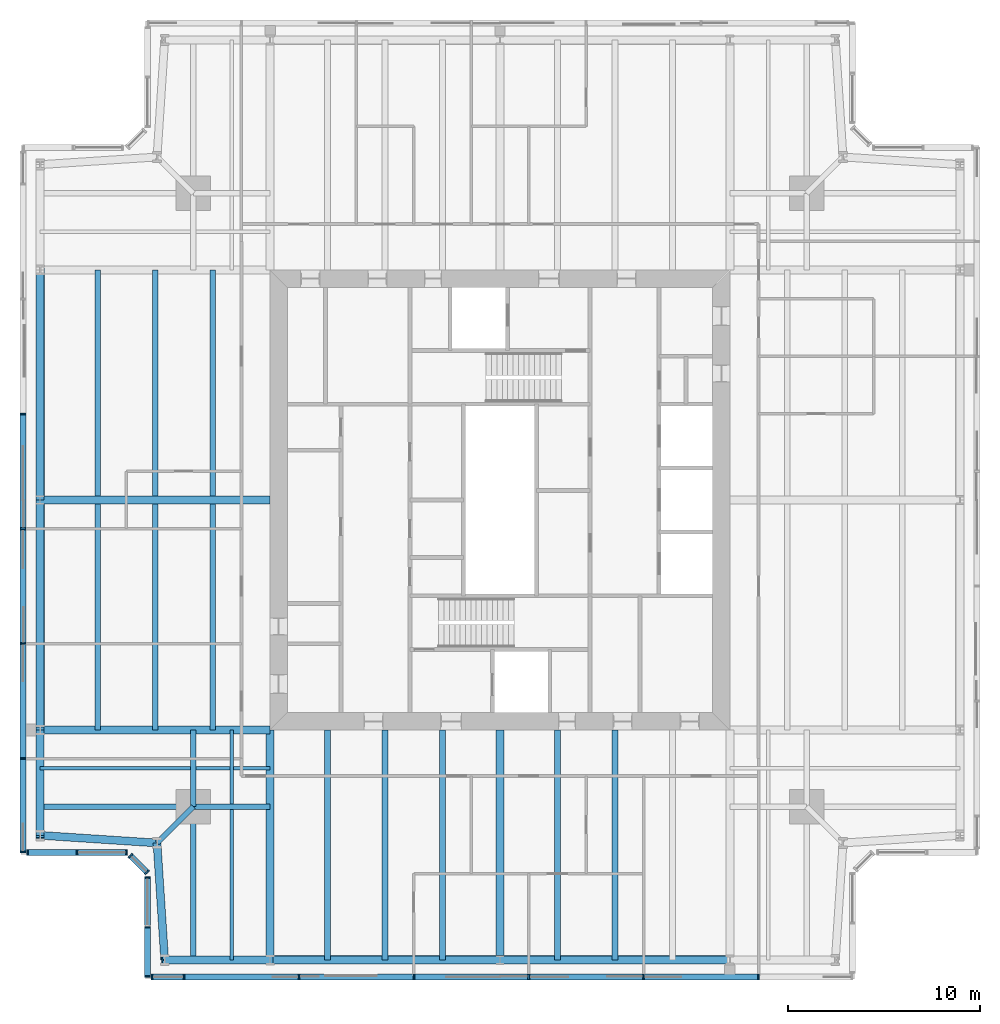
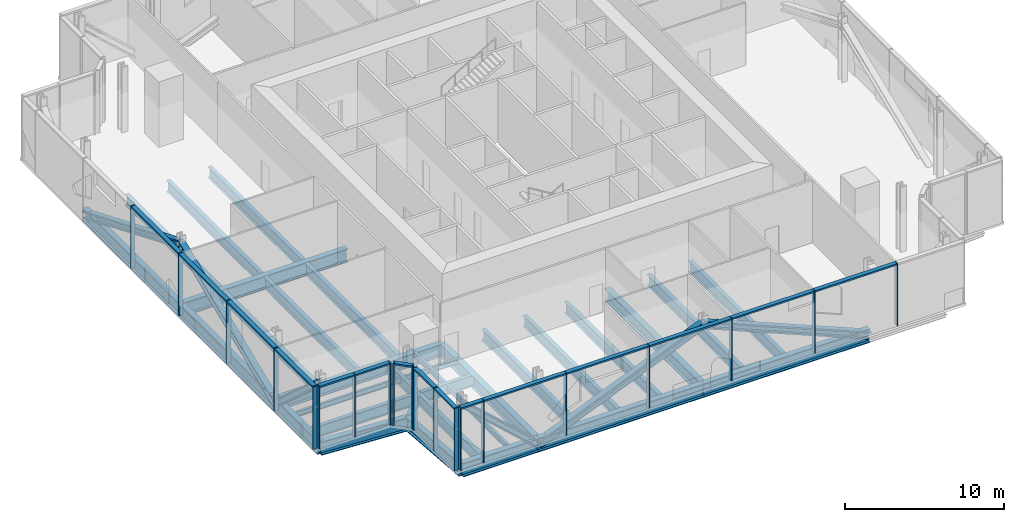
# One storey, part 2 of 15: 41 members, 33 beams, 5 elements without a shape of their own.
"""IFC4 building model written with IfcOpenShell, lengths in metres."""

from ifc_helpers import new_model, si_unit, direction, frame, origin, origin_2d, place, context, subcontext, project, spatial, rectangle, i_section, extrude, material, material_profile, profile_set, type_object, element, aggregate, save


model = new_model("IFC4")

# Units and contexts
model_context = context("Model", 3, precision=1e-05, world=origin(), true_north=direction((0.0, 1.0)))
body_context = subcontext(model_context, "Body", "Model", "MODEL_VIEW")
ifc_project = project(units=[si_unit("LENGTHUNIT", "METRE"), si_unit("AREAUNIT", "SQUARE_METRE"), si_unit("VOLUMEUNIT", "CUBIC_METRE"), si_unit("PLANEANGLEUNIT", "RADIAN"), si_unit("MASSUNIT", "GRAM", prefix="KILO")], contexts=[model_context])

# Site, building, storey
site_placement = place(None, origin())
site = spatial("IfcSite", under=ifc_project, at=site_placement, CompositionType="ELEMENT")
building_placement = place(site_placement, origin())
building = spatial("IfcBuilding", under=site, at=building_placement, Name="Fenwick Lantern Interchange", CompositionType="ELEMENT")
storey_placement = place(building_placement, frame((0.0, 0.0, 296.800048828125)))
storey = spatial("IfcBuildingStorey", under=building, at=storey_placement, Name="L72", CompositionType="ELEMENT", Elevation=296.800048828125)

# Beams
ifc_material_1 = material(Name="Steel ASTM A992 Grade 50", Category="steel")
ifc_material_profile_1 = material_profile(ifc_material_1, i_section(OverallWidth=0.408935546875, OverallDepth=1.04150390625, WebThickness=0.031005859375, FlangeThickness=0.055908203125, at=origin_2d()), Name="W40X397")
ifc_profile_set_1 = profile_set([ifc_material_profile_1], Name="Steel ASTM A992 Grade 50")
beam_type_1 = type_object("IfcBeamType", Name="EDGE BEAM W40X397", PredefinedType="SPANDREL", material=ifc_profile_set_1)
beam_1_placement = place(storey_placement, frame((7.5, 1.0, -0.720703125), z_axis=(1.0, 0.0, 0.0), x_axis=(0.0, 1.0, 0.0)))
element("IfcBeam", 1, at=beam_1_placement, inside=storey, type_object=beam_type_1, Name="L72/FR/S/EB1", PredefinedType="SPANDREL", context=body_context, shape_type="SweptSolid", body=[
    extrude(i_section(OverallWidth=0.408935546875, OverallDepth=1.04150390625, WebThickness=0.031005859375, FlangeThickness=0.055908203125, at=origin_2d()), origin(), (0.0, 0.0, 1.0), 5.5),
])
for number, where, z_axis, x_axis, name in (
    (2, (13.0, 1.0, -0.720703125), (1.0, 0.0, 0.0), (0.0, 1.0, 0.0), "L72/FR/S/EB2"),
    (3, (25.0, 1.0, -0.720703125), (1.0, 0.0, 0.0), (0.0, 1.0, 0.0), "L72/FR/S/EB3"),
    (4, (1.0, 37.0, -0.720703125), (0.0, -1.0, 0.0), (1.0, 0.0, 0.0), "L72/FR/W/EB2"),
    (5, (1.0, 25.0, -0.720703125), (0.0, -1.0, 0.0), (1.0, 0.0, 0.0), "L72/FR/W/EB3"),
):
    element("IfcBeam", number, at=place(storey_placement, frame(where, z_axis=z_axis, x_axis=x_axis)), inside=storey, type_object=beam_type_1, Name=name, PredefinedType="SPANDREL", context=body_context, shape_type="SweptSolid", body=[
        extrude(i_section(OverallWidth=0.408935546875, OverallDepth=1.04150390625, WebThickness=0.031005859375, FlangeThickness=0.055908203125, at=origin_2d()), origin(), (0.0, 0.0, 1.0), 12.0),
    ])
beam_2_placement = place(storey_placement, frame((1.0, 13.0, -0.720703125), z_axis=(0.0, -1.0, 0.0), x_axis=(1.0, 0.0, 0.0)))
element("IfcBeam", 6, at=beam_2_placement, inside=storey, type_object=beam_type_1, Name="L72/FR/W/EB4", PredefinedType="SPANDREL", context=body_context, shape_type="SweptSolid", body=[
    extrude(i_section(OverallWidth=0.408935546875, OverallDepth=1.04150390625, WebThickness=0.031005859375, FlangeThickness=0.055908203125, at=origin_2d()), origin(), (0.0, 0.0, 1.0), 5.5),
])
for number, where, z_axis, x_axis, name in (
    (7, (1.0, 7.5, -0.720703125), (0.997858060337, -0.065416293237, 0.0), (0.065416293237, 0.997858060337, 0.0), "L72/FR/W/EBR1"),
    (8, (7.10009765625, 7.10009765625, -0.720703125), (0.065416293237, -0.997858060337, 0.0), (0.997858060337, 0.065416293237, 0.0), "L72/FR/W/EBR2"),
):
    element("IfcBeam", number, at=place(storey_placement, frame(where, z_axis=z_axis, x_axis=x_axis)), inside=storey, type_object=beam_type_1, Name=name, PredefinedType="SPANDREL", context=body_context, shape_type="SweptSolid", body=[
        extrude(i_section(OverallWidth=0.408935546875, OverallDepth=1.04150390625, WebThickness=0.031005859375, FlangeThickness=0.055908203125, at=origin_2d()), origin(), (0.0, 0.0, 1.0), 6.11328125),
    ])

# Members
ifc_material_profile_2 = material_profile(ifc_material_1, i_section(OverallWidth=0.424072265625, OverallDepth=0.47509765625, WebThickness=0.0478515625, FlangeThickness=0.0771484375, at=origin_2d()), Name="W14X426")
ifc_profile_set_2 = profile_set([ifc_material_profile_2], Name="Steel ASTM A992 Grade 50")
member_type_1 = type_object("IfcMemberType", Name="FACADE BRACE W14X426", PredefinedType="BRACE", material=ifc_profile_set_2)
for number, where, z_axis, x_axis, name in (
    (9, (13.0, 1.0, -0.720703125), (-0.739940073396, 0.0, 0.672672793996), (0.0, -1.0, 0.0), "L72/FB/S/AE"),
    (10, (1.0, 13.0, -0.720703125), (0.0, -0.739940073396, 0.672672793996), (1.0, 0.0, 0.0), "L72/FB/W/BE"),
):
    element("IfcMember", number, at=place(storey_placement, frame(where, z_axis=z_axis, x_axis=x_axis)), inside=storey, type_object=member_type_1, Name=name, PredefinedType="BRACE", context=body_context, shape_type="SweptSolid", body=[
        extrude(i_section(OverallWidth=0.424072265625, OverallDepth=0.47509765625, WebThickness=0.0478515625, FlangeThickness=0.0771484375, at=origin_2d()), origin(), (0.0, 0.0, 1.0), 7.43310546875),
    ])
ifc_material_profile_3 = material_profile(ifc_material_1, i_section(OverallWidth=0.44189453125, OverallDepth=0.53076171875, WebThickness=0.06591796875, FlangeThickness=0.105712890625, at=origin_2d()), Name="W14X605")
ifc_profile_set_3 = profile_set([ifc_material_profile_3], Name="Steel ASTM A992 Grade 50")
member_type_2 = type_object("IfcMemberType", Name="FACADE BRACE W14X605", PredefinedType="BRACE", material=ifc_profile_set_3)
for number, where, z_axis, x_axis, name in (
    (11, (13.0, 1.0, -0.720703125), (0.923076923077, 0.0, 0.384615384615), (0.0, 1.0, 0.0), "L72/FB/S/A"),
    (12, (37.0, 1.0, -0.720703125), (-0.923076923077, 0.0, 0.384615384615), (0.0, -1.0, 0.0), "L72/FB/S/B"),
    (13, (1.0, 37.0, -0.720703125), (0.0, -0.923076923077, 0.384615384615), (1.0, 0.0, 0.0), "L72/FB/W/A"),
    (14, (1.0, 13.0, -0.720703125), (0.0, 0.923076923077, 0.384615384615), (-1.0, 0.0, 0.0), "L72/FB/W/B"),
):
    element("IfcMember", number, at=place(storey_placement, frame(where, z_axis=z_axis, x_axis=x_axis)), inside=storey, type_object=member_type_2, Name=name, PredefinedType="BRACE", context=body_context, shape_type="SweptSolid", body=[
        extrude(i_section(OverallWidth=0.44189453125, OverallDepth=0.53076171875, WebThickness=0.06591796875, FlangeThickness=0.105712890625, at=origin_2d()), origin(), (0.0, 0.0, 1.0), 13.0),
    ])

# Beams
ifc_material_profile_4 = material_profile(ifc_material_1, i_section(OverallWidth=0.2919921875, OverallDepth=0.845703125, WebThickness=0.015380859375, FlangeThickness=0.0244140625, at=origin_2d()), Name="W33X141")
ifc_profile_set_4 = profile_set([ifc_material_profile_4], Name="Steel ASTM A992 Grade 50")
beam_type_2 = type_object("IfcBeamType", Name="FLOOR BEAM W33X141", PredefinedType="BEAM", material=ifc_profile_set_4)
for number, where, z_axis, x_axis, name in (
    (15, (16.0, 1.0, -0.623046875), (0.0, 1.0, 0.0), (-1.0, 0.0, 0.0), "L72/FR/S/R02"),
    (16, (19.0, 1.0, -0.623046875), (0.0, 1.0, 0.0), (-1.0, 0.0, 0.0), "L72/FR/S/R03"),
    (17, (22.0, 1.0, -0.623046875), (0.0, 1.0, 0.0), (-1.0, 0.0, 0.0), "L72/FR/S/R04"),
    (18, (28.0, 1.0, -0.623046875), (0.0, 1.0, 0.0), (-1.0, 0.0, 0.0), "L72/FR/S/R06"),
    (19, (31.0, 1.0, -0.623046875), (0.0, 1.0, 0.0), (-1.0, 0.0, 0.0), "L72/FR/S/R07"),
):
    element("IfcBeam", number, at=place(storey_placement, frame(where, z_axis=z_axis, x_axis=x_axis)), inside=storey, type_object=beam_type_2, Name=name, PredefinedType="BEAM", context=body_context, shape_type="SweptSolid", body=[
        extrude(i_section(OverallWidth=0.2919921875, OverallDepth=0.845703125, WebThickness=0.015380859375, FlangeThickness=0.0244140625, at=origin_2d()), origin(), (0.0, 0.0, 1.0), 12.0),
    ])
for number, where, z_axis, x_axis, name in (
    (20, (4.0, 37.0, -0.623046875), (0.0, -1.0, 0.0), (1.0, 0.0, 0.0), "L72/FR/W/B01"),
    (21, (7.0, 37.0, -0.623046875), (0.0, -1.0, 0.0), (1.0, 0.0, 0.0), "L72/FR/W/B02"),
    (22, (10.0, 37.0, -0.623046875), (0.0, -1.0, 0.0), (1.0, 0.0, 0.0), "L72/FR/W/B03"),
    (23, (4.0, 24.79541015625, -0.623046875), (0.0, -1.0, 0.0), (1.0, 0.0, 0.0), "L72/FR/W/B04"),
    (24, (7.0, 24.79541015625, -0.623046875), (0.0, -1.0, 0.0), (1.0, 0.0, 0.0), "L72/FR/W/B05"),
    (25, (10.0, 24.79541015625, -0.623046875), (0.0, -1.0, 0.0), (1.0, 0.0, 0.0), "L72/FR/W/B06"),
):
    element("IfcBeam", number, at=place(storey_placement, frame(where, z_axis=z_axis, x_axis=x_axis)), inside=storey, type_object=beam_type_2, Name=name, PredefinedType="BEAM", context=body_context, shape_type="SweptSolid", body=[
        extrude(i_section(OverallWidth=0.2919921875, OverallDepth=0.845703125, WebThickness=0.015380859375, FlangeThickness=0.0244140625, at=origin_2d()), origin(), (0.0, 0.0, 1.0), 11.79541015625),
    ])
ifc_material_profile_5 = material_profile(ifc_material_1, i_section(OverallWidth=0.177734375, OverallDepth=0.406494140625, WebThickness=0.0078125, FlangeThickness=0.012939453125, at=origin_2d()), Name="W16X40")
ifc_profile_set_5 = profile_set([ifc_material_profile_5], Name="Steel ASTM A992 Grade 50")
beam_type_3 = type_object("IfcBeamType", Name="INFILL BEAM W16X40", PredefinedType="JOIST", material=ifc_profile_set_5)
beam_3_placement = place(storey_placement, frame((11.0, 1.0, -0.4033203125), z_axis=(0.0, 1.0, 0.0), x_axis=(-1.0, 0.0, 0.0)))
element("IfcBeam", 26, at=beam_3_placement, inside=storey, type_object=beam_type_3, Name="L72/FR/S/J1", PredefinedType="JOIST", context=body_context, shape_type="SweptSolid", body=[
    extrude(i_section(OverallWidth=0.177734375, OverallDepth=0.406494140625, WebThickness=0.0078125, FlangeThickness=0.012939453125, at=origin_2d()), origin(), (0.0, 0.0, 1.0), 7.85400390625),
])
beam_4_placement = place(storey_placement, frame((11.0, 9.14599609375, -0.4033203125), z_axis=(0.0, 1.0, 0.0), x_axis=(-1.0, 0.0, 0.0)))
element("IfcBeam", 27, at=beam_4_placement, inside=storey, type_object=beam_type_3, Name="L72/FR/S/J2", PredefinedType="JOIST", context=body_context, shape_type="SweptSolid", body=[
    extrude(i_section(OverallWidth=0.177734375, OverallDepth=0.406494140625, WebThickness=0.0078125, FlangeThickness=0.012939453125, at=origin_2d()), origin(), (0.0, 0.0, 1.0), 3.85400390625),
])
beam_5_placement = place(storey_placement, frame((1.0, 11.0, -0.4033203125), z_axis=(1.0, 0.0, 0.0), x_axis=(0.0, 1.0, 0.0)))
element("IfcBeam", 28, at=beam_5_placement, inside=storey, type_object=beam_type_3, Name="L72/FR/S/J3", PredefinedType="JOIST", context=body_context, shape_type="SweptSolid", body=[
    extrude(i_section(OverallWidth=0.177734375, OverallDepth=0.406494140625, WebThickness=0.0078125, FlangeThickness=0.012939453125, at=origin_2d()), origin(), (0.0, 0.0, 1.0), 7.85400390625),
])
beam_6_placement = place(storey_placement, frame((9.14599609375, 11.0, -0.4033203125), z_axis=(1.0, 0.0, 0.0), x_axis=(0.0, 1.0, 0.0)))
element("IfcBeam", 29, at=beam_6_placement, inside=storey, type_object=beam_type_3, Name="L72/FR/S/J4", PredefinedType="JOIST", context=body_context, shape_type="SweptSolid", body=[
    extrude(i_section(OverallWidth=0.177734375, OverallDepth=0.406494140625, WebThickness=0.0078125, FlangeThickness=0.012939453125, at=origin_2d()), origin(), (0.0, 0.0, 1.0), 1.76513671875),
])
beam_7_placement = place(storey_placement, frame((11.0888671875, 11.0, -0.4033203125), z_axis=(1.0, 0.0, 0.0), x_axis=(0.0, 1.0, 0.0)))
element("IfcBeam", 30, at=beam_7_placement, inside=storey, type_object=beam_type_3, Name="L72/FR/S/J5", PredefinedType="JOIST", context=body_context, shape_type="SweptSolid", body=[
    extrude(i_section(OverallWidth=0.177734375, OverallDepth=0.406494140625, WebThickness=0.0078125, FlangeThickness=0.012939453125, at=origin_2d()), origin(), (0.0, 0.0, 1.0), 1.9111328125),
])
ifc_material_profile_6 = material_profile(ifc_material_1, i_section(OverallWidth=0.2919921875, OverallDepth=0.845703125, WebThickness=0.015380859375, FlangeThickness=0.0244140625, at=origin_2d()), Name="W33X141")
ifc_profile_set_6 = profile_set([ifc_material_profile_6], Name="Steel ASTM A992 Grade 50")
beam_type_4 = type_object("IfcBeamType", Name="MEGA COLUMN BEAM W33X141", PredefinedType="BEAM", material=ifc_profile_set_6)
for number, where, z_axis, x_axis, name in (
    (31, (9.0, 9.0, -0.623046875), (0.0, -1.0, 0.0), (1.0, 0.0, 0.0), "L72/FR/S/MB1"),
    (32, (9.0, 9.0, -0.623046875), (-1.0, 0.0, 0.0), (0.0, -1.0, 0.0), "L72/FR/S/MB2"),
):
    element("IfcBeam", number, at=place(storey_placement, frame(where, z_axis=z_axis, x_axis=x_axis)), inside=storey, type_object=beam_type_4, Name=name, PredefinedType="BEAM", context=body_context, shape_type="SweptSolid", body=[
        extrude(i_section(OverallWidth=0.2919921875, OverallDepth=0.845703125, WebThickness=0.015380859375, FlangeThickness=0.0244140625, at=origin_2d()), origin(), (0.0, 0.0, 1.0), 8.0),
    ])
for number, where, z_axis, x_axis, name in (
    (33, (9.0, 9.0, -0.623046875), (1.0, 0.0, 0.0), (0.0, 1.0, 0.0), "L72/FR/S/MB3"),
    (34, (9.0, 9.0, -0.623046875), (0.0, 1.0, 0.0), (-1.0, 0.0, 0.0), "L72/FR/S/MB4"),
):
    element("IfcBeam", number, at=place(storey_placement, frame(where, z_axis=z_axis, x_axis=x_axis)), inside=storey, type_object=beam_type_4, Name=name, PredefinedType="BEAM", context=body_context, shape_type="SweptSolid", body=[
        extrude(i_section(OverallWidth=0.2919921875, OverallDepth=0.845703125, WebThickness=0.015380859375, FlangeThickness=0.0244140625, at=origin_2d()), origin(), (0.0, 0.0, 1.0), 4.0),
    ])
ifc_material_profile_7 = material_profile(ifc_material_1, i_section(OverallWidth=0.424072265625, OverallDepth=0.947509765625, WebThickness=0.02392578125, FlangeThickness=0.042724609375, at=origin_2d()), Name="W36X302")
ifc_profile_set_7 = profile_set([ifc_material_profile_7], Name="Steel ASTM A992 Grade 50")
beam_type_5 = type_object("IfcBeamType", Name="MOMENT-CONNECTED GIRDER W36X302", PredefinedType="BEAM", material=ifc_profile_set_7)
for number, where, z_axis, x_axis, name in (
    (35, (13.0, 1.0, -0.673828125), (0.0, 1.0, 0.0), (-1.0, 0.0, 0.0), "L72/FR/S/R01"),
    (36, (25.0, 1.0, -0.673828125), (0.0, 1.0, 0.0), (-1.0, 0.0, 0.0), "L72/FR/S/R05"),
    (37, (1.0, 13.0, -0.673828125), (1.0, 0.0, 0.0), (0.0, 1.0, 0.0), "L72/FR/W/R03"),
):
    element("IfcBeam", number, at=place(storey_placement, frame(where, z_axis=z_axis, x_axis=x_axis)), inside=storey, type_object=beam_type_5, Name=name, PredefinedType="BEAM", context=body_context, shape_type="SweptSolid", body=[
        extrude(i_section(OverallWidth=0.424072265625, OverallDepth=0.947509765625, WebThickness=0.02392578125, FlangeThickness=0.042724609375, at=origin_2d()), origin(), (0.0, 0.0, 1.0), 12.0),
    ])
ifc_material_profile_8 = material_profile(ifc_material_1, i_section(OverallWidth=0.408935546875, OverallDepth=1.04150390625, WebThickness=0.031005859375, FlangeThickness=0.055908203125, at=origin_2d()), Name="W40X397")
ifc_profile_set_8 = profile_set([ifc_material_profile_8], Name="Steel ASTM A992 Grade 50")
beam_type_6 = type_object("IfcBeamType", Name="MOMENT-CONNECTED GIRDER W40X397", PredefinedType="BEAM", material=ifc_profile_set_8)
beam_8_placement = place(storey_placement, frame((1.0, 25.0, -0.720703125), z_axis=(1.0, 0.0, 0.0), x_axis=(0.0, 1.0, 0.0)))
element("IfcBeam", 38, at=beam_8_placement, inside=storey, type_object=beam_type_6, Name="L72/FR/W/R02", PredefinedType="BEAM", context=body_context, shape_type="SweptSolid", body=[
    extrude(i_section(OverallWidth=0.408935546875, OverallDepth=1.04150390625, WebThickness=0.031005859375, FlangeThickness=0.055908203125, at=origin_2d()), origin(), (0.0, 0.0, 1.0), 12.0),
])
ifc_material_profile_9 = material_profile(ifc_material_1, i_section(OverallWidth=0.2666015625, OverallDepth=0.7568359375, WebThickness=0.013916015625, FlangeThickness=0.019287109375, at=origin_2d()), Name="W30X108")
ifc_profile_set_9 = profile_set([ifc_material_profile_9], Name="Steel ASTM A992 Grade 50")
beam_type_7 = type_object("IfcBeamType", Name="NOTCH BEAM W30X108", PredefinedType="BEAM", material=ifc_profile_set_9)
beam_9_placement = place(storey_placement, frame((9.0, 9.0, -0.57861328125), z_axis=(-0.707106781187, -0.707106781187, 0.0), x_axis=(0.707106781187, -0.707106781187, 0.0)))
element("IfcBeam", 39, at=beam_9_placement, inside=storey, type_object=beam_type_7, Name="L72/FR/S/TG", PredefinedType="BEAM", context=body_context, shape_type="SweptSolid", body=[
    extrude(i_section(OverallWidth=0.2666015625, OverallDepth=0.7568359375, WebThickness=0.013916015625, FlangeThickness=0.019287109375, at=origin_2d()), origin(), (0.0, 0.0, 1.0), 2.686767578125),
])

# Curtain wall, members
ifc_material_2 = material(Name="Aluminium curtain wall frame", Category="aluminium")
curtain_wall_type = type_object("IfcCurtainWallType", Name="SKY LOBBY GLAZING", PredefinedType="USERDEFINED", material=ifc_material_2)
curtain_wall_1_placement = place(storey_placement, origin())
curtain_wall_1 = element("IfcCurtainWall", 40, at=curtain_wall_1_placement, inside=storey, type_object=curtain_wall_type, Name="Sky lobby glazing 01", ObjectType="SKY LOBBY GLAZING", PredefinedType="USERDEFINED")
ifc_material_3 = material(Name="Aluminium extrusion", Category="aluminium")
ifc_material_profile_10 = material_profile(ifc_material_3, rectangle(XDim=0.300048828125, YDim=0.080078125, at=origin_2d()), Name="SKY LOBBY GLAZING MULLION 80 X 300")
ifc_profile_set_10 = profile_set([ifc_material_profile_10], Name="Aluminium extrusion")
member_type_3 = type_object("IfcMemberType", Name="SKY LOBBY GLAZING MULLION 80 X 300", PredefinedType="MULLION", material=ifc_profile_set_10)
member_1_placement = place(storey_placement, frame((6.840087890625, 0.10009765625, 0.0), z_axis=(0.0, 0.0, 1.0), x_axis=(0.0, 1.0, 0.0)))
member_1 = element("IfcMember", 41, at=member_1_placement, type_object=member_type_3, Name="L72/CW/01/M00", PredefinedType="MULLION", context=body_context, shape_type="SweptSolid", body=[
    extrude(rectangle(XDim=0.300048828125, YDim=0.080078125, at=origin_2d()), origin(), (0.0, 0.0, 1.0), 4.800048828125),
])
member_2_placement = place(storey_placement, frame((8.5, 0.10009765625, 0.0), z_axis=(0.0, 0.0, 1.0), x_axis=(0.0, 1.0, 0.0)))
member_2 = element("IfcMember", 42, at=member_2_placement, type_object=member_type_3, Name="L72/CW/01/M01", PredefinedType="MULLION", context=body_context, shape_type="SweptSolid", body=[
    extrude(rectangle(XDim=0.300048828125, YDim=0.080078125, at=origin_2d()), origin(), (0.0, 0.0, 1.0), 4.800048828125),
])
member_3_placement = place(storey_placement, frame((14.5, 0.10009765625, 0.0), z_axis=(0.0, 0.0, 1.0), x_axis=(0.0, 1.0, 0.0)))
member_3 = element("IfcMember", 43, at=member_3_placement, type_object=member_type_3, Name="L72/CW/01/M02", PredefinedType="MULLION", context=body_context, shape_type="SweptSolid", body=[
    extrude(rectangle(XDim=0.300048828125, YDim=0.080078125, at=origin_2d()), origin(), (0.0, 0.0, 1.0), 4.800048828125),
])
member_4_placement = place(storey_placement, frame((20.5, 0.10009765625, 0.0), z_axis=(0.0, 0.0, 1.0), x_axis=(0.0, 1.0, 0.0)))
member_4 = element("IfcMember", 44, at=member_4_placement, type_object=member_type_3, Name="L72/CW/01/M03", PredefinedType="MULLION", context=body_context, shape_type="SweptSolid", body=[
    extrude(rectangle(XDim=0.300048828125, YDim=0.080078125, at=origin_2d()), origin(), (0.0, 0.0, 1.0), 4.800048828125),
])
member_5_placement = place(storey_placement, frame((26.5, 0.10009765625, 0.0), z_axis=(0.0, 0.0, 1.0), x_axis=(0.0, 1.0, 0.0)))
member_5 = element("IfcMember", 45, at=member_5_placement, type_object=member_type_3, Name="L72/CW/01/M04", PredefinedType="MULLION", context=body_context, shape_type="SweptSolid", body=[
    extrude(rectangle(XDim=0.300048828125, YDim=0.080078125, at=origin_2d()), origin(), (0.0, 0.0, 1.0), 4.800048828125),
])
member_6_placement = place(storey_placement, frame((32.5, 0.10009765625, 0.0), z_axis=(0.0, 0.0, 1.0), x_axis=(0.0, 1.0, 0.0)))
member_6 = element("IfcMember", 46, at=member_6_placement, type_object=member_type_3, Name="L72/CW/01/M05", PredefinedType="MULLION", context=body_context, shape_type="SweptSolid", body=[
    extrude(rectangle(XDim=0.300048828125, YDim=0.080078125, at=origin_2d()), origin(), (0.0, 0.0, 1.0), 4.800048828125),
])
member_7_placement = place(storey_placement, frame((38.5, 0.10009765625, 0.0), z_axis=(0.0, 0.0, 1.0), x_axis=(0.0, 1.0, 0.0)))
member_7 = element("IfcMember", 47, at=member_7_placement, type_object=member_type_3, Name="L72/CW/01/M06", PredefinedType="MULLION", context=body_context, shape_type="SweptSolid", body=[
    extrude(rectangle(XDim=0.300048828125, YDim=0.080078125, at=origin_2d()), origin(), (0.0, 0.0, 1.0), 4.800048828125),
])

curtain_wall_2_placement = place(storey_placement, origin())
curtain_wall_2 = element("IfcCurtainWall", 48, at=curtain_wall_2_placement, inside=storey, type_object=curtain_wall_type, Name="Sky lobby glazing 13", ObjectType="SKY LOBBY GLAZING", PredefinedType="USERDEFINED")
member_8_placement = place(storey_placement, frame((0.10009765625, 29.5, 0.0), z_axis=(0.0, 0.0, 1.0), x_axis=(1.0, 0.0, 0.0)))
member_8 = element("IfcMember", 49, at=member_8_placement, type_object=member_type_3, Name="L72/CW/13/M03", PredefinedType="MULLION", context=body_context, shape_type="SweptSolid", body=[
    extrude(rectangle(XDim=0.300048828125, YDim=0.080078125, at=origin_2d()), origin(), (0.0, 0.0, 1.0), 4.800048828125),
])
member_9_placement = place(storey_placement, frame((0.10009765625, 23.5, 0.0), z_axis=(0.0, 0.0, 1.0), x_axis=(1.0, 0.0, 0.0)))
member_9 = element("IfcMember", 50, at=member_9_placement, type_object=member_type_3, Name="L72/CW/13/M04", PredefinedType="MULLION", context=body_context, shape_type="SweptSolid", body=[
    extrude(rectangle(XDim=0.300048828125, YDim=0.080078125, at=origin_2d()), origin(), (0.0, 0.0, 1.0), 4.800048828125),
])
member_10_placement = place(storey_placement, frame((0.10009765625, 17.5, 0.0), z_axis=(0.0, 0.0, 1.0), x_axis=(1.0, 0.0, 0.0)))
member_10 = element("IfcMember", 51, at=member_10_placement, type_object=member_type_3, Name="L72/CW/13/M05", PredefinedType="MULLION", context=body_context, shape_type="SweptSolid", body=[
    extrude(rectangle(XDim=0.300048828125, YDim=0.080078125, at=origin_2d()), origin(), (0.0, 0.0, 1.0), 4.800048828125),
])
member_11_placement = place(storey_placement, frame((0.10009765625, 11.5, 0.0), z_axis=(0.0, 0.0, 1.0), x_axis=(1.0, 0.0, 0.0)))
member_11 = element("IfcMember", 52, at=member_11_placement, type_object=member_type_3, Name="L72/CW/13/M06", PredefinedType="MULLION", context=body_context, shape_type="SweptSolid", body=[
    extrude(rectangle(XDim=0.300048828125, YDim=0.080078125, at=origin_2d()), origin(), (0.0, 0.0, 1.0), 4.800048828125),
])
member_12_placement = place(storey_placement, frame((0.10009765625, 6.639892578125, 0.0), z_axis=(0.0, 0.0, 1.0), x_axis=(1.0, 0.0, 0.0)))
member_12 = element("IfcMember", 53, at=member_12_placement, type_object=member_type_3, Name="L72/CW/13/M07", PredefinedType="MULLION", context=body_context, shape_type="SweptSolid", body=[
    extrude(rectangle(XDim=0.300048828125, YDim=0.080078125, at=origin_2d()), origin(), (0.0, 0.0, 1.0), 4.800048828125),
])

curtain_wall_3_placement = place(storey_placement, origin())
curtain_wall_3 = element("IfcCurtainWall", 54, at=curtain_wall_3_placement, inside=storey, type_object=curtain_wall_type, Name="Sky lobby glazing 14", ObjectType="SKY LOBBY GLAZING", PredefinedType="USERDEFINED")
member_13_placement = place(storey_placement, frame((0.340087890625, 6.60009765625, 0.0), z_axis=(0.0, 0.0, 1.0), x_axis=(0.0, 1.0, 0.0)))
member_13 = element("IfcMember", 55, at=member_13_placement, type_object=member_type_3, Name="L72/CW/14/M00", PredefinedType="MULLION", context=body_context, shape_type="SweptSolid", body=[
    extrude(rectangle(XDim=0.300048828125, YDim=0.080078125, at=origin_2d()), origin(), (0.0, 0.0, 1.0), 4.800048828125),
])
member_14_placement = place(storey_placement, frame((2.920654296875, 6.60009765625, 0.0), z_axis=(0.0, 0.0, 1.0), x_axis=(0.0, 1.0, 0.0)))
member_14 = element("IfcMember", 56, at=member_14_placement, type_object=member_type_3, Name="L72/CW/14/M01", PredefinedType="MULLION", context=body_context, shape_type="SweptSolid", body=[
    extrude(rectangle(XDim=0.300048828125, YDim=0.080078125, at=origin_2d()), origin(), (0.0, 0.0, 1.0), 4.800048828125),
])
member_15_placement = place(storey_placement, frame((5.50146484375, 6.60009765625, 0.0), z_axis=(0.0, 0.0, 1.0), x_axis=(0.0, 1.0, 0.0)))
member_15 = element("IfcMember", 57, at=member_15_placement, type_object=member_type_3, Name="L72/CW/14/M02", PredefinedType="MULLION", context=body_context, shape_type="SweptSolid", body=[
    extrude(rectangle(XDim=0.300048828125, YDim=0.080078125, at=origin_2d()), origin(), (0.0, 0.0, 1.0), 4.800048828125),
])

curtain_wall_4_placement = place(storey_placement, origin())
curtain_wall_4 = element("IfcCurtainWall", 58, at=curtain_wall_4_placement, inside=storey, type_object=curtain_wall_type, Name="Sky lobby glazing 15", ObjectType="SKY LOBBY GLAZING", PredefinedType="USERDEFINED")
member_16_placement = place(storey_placement, frame((5.711181640625, 6.43017578125, 0.0), z_axis=(0.0, 0.0, 1.0), x_axis=(0.707106781187, 0.707106781187, 0.0)))
member_16 = element("IfcMember", 59, at=member_16_placement, type_object=member_type_3, Name="L72/CW/15/M00", PredefinedType="MULLION", context=body_context, shape_type="SweptSolid", body=[
    extrude(rectangle(XDim=0.300048828125, YDim=0.080078125, at=origin_2d()), origin(), (0.0, 0.0, 1.0), 4.800048828125),
])
member_17_placement = place(storey_placement, frame((6.57177734375, 5.56982421875, 0.0), z_axis=(0.0, 0.0, 1.0), x_axis=(0.707106781187, 0.707106781187, 0.0)))
member_17 = element("IfcMember", 60, at=member_17_placement, type_object=member_type_3, Name="L72/CW/15/M01", PredefinedType="MULLION", context=body_context, shape_type="SweptSolid", body=[
    extrude(rectangle(XDim=0.300048828125, YDim=0.080078125, at=origin_2d()), origin(), (0.0, 0.0, 1.0), 4.800048828125),
])

curtain_wall_5_placement = place(storey_placement, origin())
curtain_wall_5 = element("IfcCurtainWall", 61, at=curtain_wall_5_placement, inside=storey, type_object=curtain_wall_type, Name="Sky lobby glazing 16", ObjectType="SKY LOBBY GLAZING", PredefinedType="USERDEFINED")
member_18_placement = place(storey_placement, frame((6.60009765625, 5.301513671875, 0.0), z_axis=(0.0, 0.0, 1.0), x_axis=(1.0, 0.0, 0.0)))
member_18 = element("IfcMember", 62, at=member_18_placement, type_object=member_type_3, Name="L72/CW/16/M00", PredefinedType="MULLION", context=body_context, shape_type="SweptSolid", body=[
    extrude(rectangle(XDim=0.300048828125, YDim=0.080078125, at=origin_2d()), origin(), (0.0, 0.0, 1.0), 4.800048828125),
])
member_19_placement = place(storey_placement, frame((6.60009765625, 2.720703125, 0.0), z_axis=(0.0, 0.0, 1.0), x_axis=(1.0, 0.0, 0.0)))
member_19 = element("IfcMember", 63, at=member_19_placement, type_object=member_type_3, Name="L72/CW/16/M01", PredefinedType="MULLION", context=body_context, shape_type="SweptSolid", body=[
    extrude(rectangle(XDim=0.300048828125, YDim=0.080078125, at=origin_2d()), origin(), (0.0, 0.0, 1.0), 4.800048828125),
])
member_20_placement = place(storey_placement, frame((6.60009765625, 0.139892578125, 0.0), z_axis=(0.0, 0.0, 1.0), x_axis=(1.0, 0.0, 0.0)))
member_20 = element("IfcMember", 64, at=member_20_placement, type_object=member_type_3, Name="L72/CW/16/M02", PredefinedType="MULLION", context=body_context, shape_type="SweptSolid", body=[
    extrude(rectangle(XDim=0.300048828125, YDim=0.080078125, at=origin_2d()), origin(), (0.0, 0.0, 1.0), 4.800048828125),
])

# Member
ifc_material_profile_11 = material_profile(ifc_material_3, rectangle(XDim=0.300048828125, YDim=0.1201171875, at=origin_2d()), Name="SKY LOBBY GLAZING TRANSOM 120 X 300")
ifc_profile_set_11 = profile_set([ifc_material_profile_11], Name="Aluminium extrusion")
member_type_4 = type_object("IfcMemberType", Name="SKY LOBBY GLAZING TRANSOM 120 X 300", PredefinedType="MULLION", material=ifc_profile_set_11)
member_21_placement = place(storey_placement, frame((6.8798828125, 0.10009765625, 4.739990234375), z_axis=(1.0, 0.0, 0.0), x_axis=(0.0, 1.0, 0.0)))
member_21 = element("IfcMember", 65, at=member_21_placement, type_object=member_type_4, Name="L72/CW/01/T00", PredefinedType="MULLION", context=body_context, shape_type="SweptSolid", body=[
    extrude(rectangle(XDim=0.300048828125, YDim=0.1201171875, at=origin_2d()), origin(), (0.0, 0.0, 1.0), 1.580078125),
])

member_22_placement = place(storey_placement, frame((8.5400390625, 0.10009765625, 4.739990234375), z_axis=(1.0, 0.0, 0.0), x_axis=(0.0, 1.0, 0.0)))
member_22 = element("IfcMember", 66, at=member_22_placement, type_object=member_type_4, Name="L72/CW/01/T01", PredefinedType="MULLION", context=body_context, shape_type="SweptSolid", body=[
    extrude(rectangle(XDim=0.300048828125, YDim=0.1201171875, at=origin_2d()), origin(), (0.0, 0.0, 1.0), 5.919921875),
])

member_23_placement = place(storey_placement, frame((14.5400390625, 0.10009765625, 4.739990234375), z_axis=(1.0, 0.0, 0.0), x_axis=(0.0, 1.0, 0.0)))
member_23 = element("IfcMember", 67, at=member_23_placement, type_object=member_type_4, Name="L72/CW/01/T02", PredefinedType="MULLION", context=body_context, shape_type="SweptSolid", body=[
    extrude(rectangle(XDim=0.300048828125, YDim=0.1201171875, at=origin_2d()), origin(), (0.0, 0.0, 1.0), 5.919921875),
])

member_24_placement = place(storey_placement, frame((20.5400390625, 0.10009765625, 4.739990234375), z_axis=(1.0, 0.0, 0.0), x_axis=(0.0, 1.0, 0.0)))
member_24 = element("IfcMember", 68, at=member_24_placement, type_object=member_type_4, Name="L72/CW/01/T03", PredefinedType="MULLION", context=body_context, shape_type="SweptSolid", body=[
    extrude(rectangle(XDim=0.300048828125, YDim=0.1201171875, at=origin_2d()), origin(), (0.0, 0.0, 1.0), 5.919921875),
])

member_25_placement = place(storey_placement, frame((26.5400390625, 0.10009765625, 4.739990234375), z_axis=(1.0, 0.0, 0.0), x_axis=(0.0, 1.0, 0.0)))
member_25 = element("IfcMember", 69, at=member_25_placement, type_object=member_type_4, Name="L72/CW/01/T04", PredefinedType="MULLION", context=body_context, shape_type="SweptSolid", body=[
    extrude(rectangle(XDim=0.300048828125, YDim=0.1201171875, at=origin_2d()), origin(), (0.0, 0.0, 1.0), 5.919921875),
])

member_26_placement = place(storey_placement, frame((32.5400390625, 0.10009765625, 4.739990234375), z_axis=(1.0, 0.0, 0.0), x_axis=(0.0, 1.0, 0.0)))
member_26 = element("IfcMember", 70, at=member_26_placement, type_object=member_type_4, Name="L72/CW/01/T05", PredefinedType="MULLION", context=body_context, shape_type="SweptSolid", body=[
    extrude(rectangle(XDim=0.300048828125, YDim=0.1201171875, at=origin_2d()), origin(), (0.0, 0.0, 1.0), 5.919921875),
])

aggregate(curtain_wall_1, [member_1, member_2, member_3, member_4, member_5, member_6, member_7, member_21, member_22, member_23, member_24, member_25, member_26])

member_27_placement = place(storey_placement, frame((0.10009765625, 29.4599609375, 4.739990234375), z_axis=(0.0, -1.0, 0.0), x_axis=(1.0, 0.0, 0.0)))
member_27 = element("IfcMember", 71, at=member_27_placement, type_object=member_type_4, Name="L72/CW/13/T03", PredefinedType="MULLION", context=body_context, shape_type="SweptSolid", body=[
    extrude(rectangle(XDim=0.300048828125, YDim=0.1201171875, at=origin_2d()), origin(), (0.0, 0.0, 1.0), 5.919921875),
])

member_28_placement = place(storey_placement, frame((0.10009765625, 23.4599609375, 4.739990234375), z_axis=(0.0, -1.0, 0.0), x_axis=(1.0, 0.0, 0.0)))
member_28 = element("IfcMember", 72, at=member_28_placement, type_object=member_type_4, Name="L72/CW/13/T04", PredefinedType="MULLION", context=body_context, shape_type="SweptSolid", body=[
    extrude(rectangle(XDim=0.300048828125, YDim=0.1201171875, at=origin_2d()), origin(), (0.0, 0.0, 1.0), 5.919921875),
])

member_29_placement = place(storey_placement, frame((0.10009765625, 17.4599609375, 4.739990234375), z_axis=(0.0, -1.0, 0.0), x_axis=(1.0, 0.0, 0.0)))
member_29 = element("IfcMember", 73, at=member_29_placement, type_object=member_type_4, Name="L72/CW/13/T05", PredefinedType="MULLION", context=body_context, shape_type="SweptSolid", body=[
    extrude(rectangle(XDim=0.300048828125, YDim=0.1201171875, at=origin_2d()), origin(), (0.0, 0.0, 1.0), 5.919921875),
])

member_30_placement = place(storey_placement, frame((0.10009765625, 11.4599609375, 4.739990234375), z_axis=(0.0, -1.0, 0.0), x_axis=(1.0, 0.0, 0.0)))
member_30 = element("IfcMember", 74, at=member_30_placement, type_object=member_type_4, Name="L72/CW/13/T06", PredefinedType="MULLION", context=body_context, shape_type="SweptSolid", body=[
    extrude(rectangle(XDim=0.300048828125, YDim=0.1201171875, at=origin_2d()), origin(), (0.0, 0.0, 1.0), 4.780029296875),
])

aggregate(curtain_wall_2, [member_8, member_9, member_10, member_11, member_12, member_27, member_28, member_29, member_30])

member_31_placement = place(storey_placement, frame((0.3798828125, 6.60009765625, 4.739990234375), z_axis=(1.0, 0.0, 0.0), x_axis=(0.0, 1.0, 0.0)))
member_31 = element("IfcMember", 75, at=member_31_placement, type_object=member_type_4, Name="L72/CW/14/T00", PredefinedType="MULLION", context=body_context, shape_type="SweptSolid", body=[
    extrude(rectangle(XDim=0.300048828125, YDim=0.1201171875, at=origin_2d()), origin(), (0.0, 0.0, 1.0), 2.500732421875),
])

member_32_placement = place(storey_placement, frame((2.960693359375, 6.60009765625, 4.739990234375), z_axis=(1.0, 0.0, 0.0), x_axis=(0.0, 1.0, 0.0)))
member_32 = element("IfcMember", 76, at=member_32_placement, type_object=member_type_4, Name="L72/CW/14/T01", PredefinedType="MULLION", context=body_context, shape_type="SweptSolid", body=[
    extrude(rectangle(XDim=0.300048828125, YDim=0.1201171875, at=origin_2d()), origin(), (0.0, 0.0, 1.0), 2.500732421875),
])

aggregate(curtain_wall_3, [member_13, member_14, member_15, member_31, member_32])

member_33_placement = place(storey_placement, frame((5.739501953125, 6.402099609375, 4.739990234375), z_axis=(0.706999424203, -0.707214121873, 0.0), x_axis=(0.707214121873, 0.706999424203, 0.0)))
member_33 = element("IfcMember", 77, at=member_33_placement, type_object=member_type_4, Name="L72/CW/15/T00", PredefinedType="MULLION", context=body_context, shape_type="SweptSolid", body=[
    extrude(rectangle(XDim=0.300048828125, YDim=0.1201171875, at=origin_2d()), origin(), (0.0, 0.0, 1.0), 1.13720703125),
])

aggregate(curtain_wall_4, [member_16, member_17, member_33])

member_34_placement = place(storey_placement, frame((6.60009765625, 5.261474609375, 4.739990234375), z_axis=(0.0, -1.0, 0.0), x_axis=(1.0, 0.0, 0.0)))
member_34 = element("IfcMember", 78, at=member_34_placement, type_object=member_type_4, Name="L72/CW/16/T00", PredefinedType="MULLION", context=body_context, shape_type="SweptSolid", body=[
    extrude(rectangle(XDim=0.300048828125, YDim=0.1201171875, at=origin_2d()), origin(), (0.0, 0.0, 1.0), 2.500732421875),
])

member_35_placement = place(storey_placement, frame((6.60009765625, 2.6806640625, 4.739990234375), z_axis=(0.0, -1.0, 0.0), x_axis=(1.0, 0.0, 0.0)))
member_35 = element("IfcMember", 79, at=member_35_placement, type_object=member_type_4, Name="L72/CW/16/T01", PredefinedType="MULLION", context=body_context, shape_type="SweptSolid", body=[
    extrude(rectangle(XDim=0.300048828125, YDim=0.1201171875, at=origin_2d()), origin(), (0.0, 0.0, 1.0), 2.500732421875),
])

aggregate(curtain_wall_5, [member_18, member_19, member_20, member_34, member_35])

save(model, "model.ifc")
